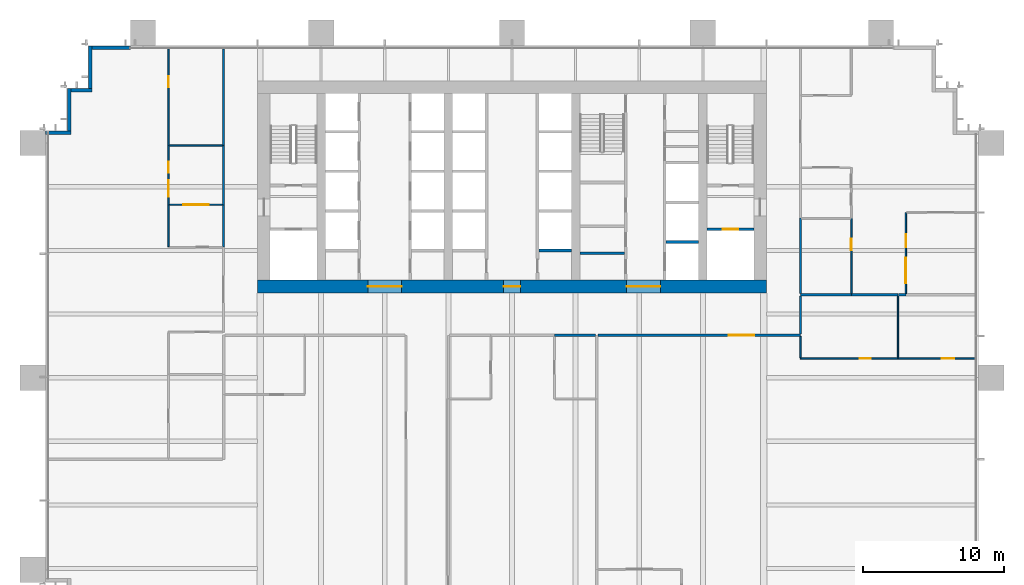
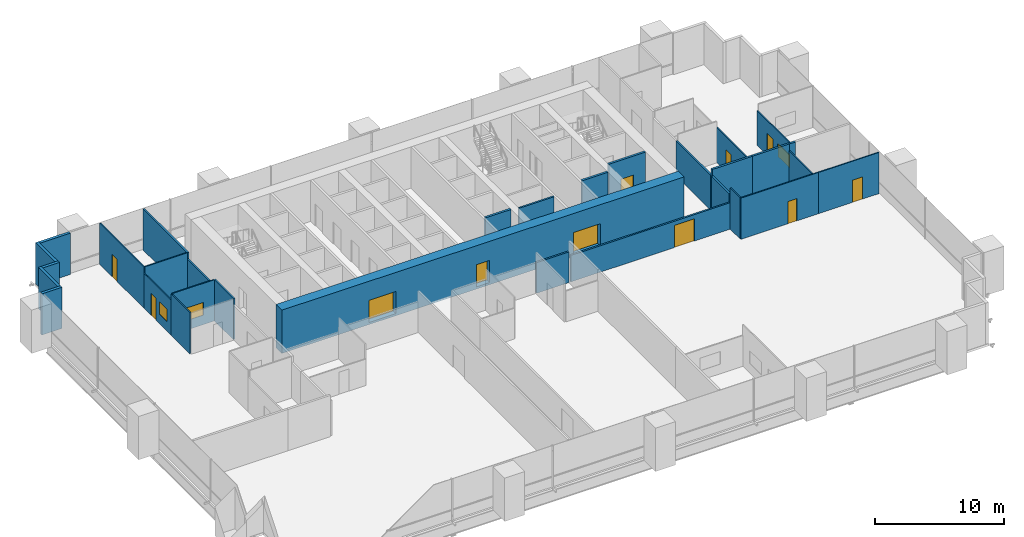
# One storey, part 12 of 17: 31 walls, 11 doors, 3 windows, 14 openings.
"""IFC4 building model written with IfcOpenShell, lengths in metres."""

from ifc_helpers import new_model, si_unit, direction, frame, frame_2d, origin, place, context, subcontext, project, spatial, rectangle, extrude, material, layer, layer_set, type_object, element, fill, save


model = new_model("IFC4")

# Units and contexts
model_context = context("Model", 3, precision=1e-05, world=origin(), true_north=direction((0.0, 1.0)))
body_context = subcontext(model_context, "Body", "Model", "MODEL_VIEW")
ifc_project = project(units=[si_unit("LENGTHUNIT", "METRE"), si_unit("AREAUNIT", "SQUARE_METRE"), si_unit("VOLUMEUNIT", "CUBIC_METRE"), si_unit("PLANEANGLEUNIT", "RADIAN"), si_unit("MASSUNIT", "GRAM", prefix="KILO")], contexts=[model_context])

# Site, building, storey
site_placement = place(None, origin())
site = spatial("IfcSite", under=ifc_project, at=site_placement, CompositionType="ELEMENT")
building_placement = place(site_placement, origin())
building = spatial("IfcBuilding", under=site, at=building_placement, Name="Rattan Terrace Tower", CompositionType="ELEMENT")
storey_placement = place(building_placement, frame((0.0, 0.0, 48.800048828125)))
storey = spatial("IfcBuildingStorey", under=building, at=storey_placement, Name="L10", CompositionType="ELEMENT", Elevation=48.800048828125)

# Wall
ifc_material_1 = material(Name="Gypsum board partition")
ifc_layer_1 = layer(ifc_material_1, 0.14990234375)
ifc_layer_set_1 = layer_set([ifc_layer_1], Name="Core partition 150")
wall_type_1 = type_object("IfcWallType", Name="Core partition 150", PredefinedType="PARTITIONING", material=ifc_layer_set_1)
wall_1_placement = place(storey_placement, frame((4.800048828125, -4.696044921875, 0.0), z_axis=(0.0, 0.0, 1.0), x_axis=(1.0, 0.0, 0.0)))
element("IfcWall", 1, at=wall_1_placement, inside=storey, type_object=wall_type_1, Name="Toilet wall", PredefinedType="PARTITIONING", context=body_context, shape_type="SweptSolid", body=[
    extrude(rectangle(XDim=3.14990234375, YDim=0.14990234375, at=frame_2d((1.574951171875, 0.0))), origin(), (0.0, 0.0, 1.0), 3.89990234375),
])

# Wall, opening, door
ifc_material_2 = material(Name="Gypsum board partition")
ifc_layer_2 = layer(ifc_material_2, 0.199951171875)
ifc_layer_set_2 = layer_set([ifc_layer_2], Name="Core partition 200")
wall_type_2 = type_object("IfcWallType", Name="Core partition 200", PredefinedType="PARTITIONING", material=ifc_layer_set_2)
wall_2_placement = place(storey_placement, frame((13.800048828125, -3.0, 0.0), z_axis=(0.0, 0.0, 1.0), x_axis=(1.0, 0.0, 0.0)))
wall_2 = element("IfcWall", 2, at=wall_2_placement, inside=storey, type_object=wall_type_2, Name="Fire-fighting lobby wall", PredefinedType="PARTITIONING", context=body_context, shape_type="SweptSolid", body=[
    extrude(rectangle(XDim=3.300048828125, YDim=0.199951171875, at=frame_2d((1.64990234375, 0.0))), origin(), (0.0, 0.0, 1.0), 3.89990234375),
])
opening_1_placement = place(wall_2_placement, frame((1.10009765625, 0.0, 0.0)))
opening_1 = element("IfcOpeningElement", 3, at=opening_1_placement, cuts=wall_2, Name="Opening L10-LD-FF2", PredefinedType="OPENING", context=body_context, shape_type="SweptSolid", body=[
    extrude(rectangle(XDim=1.10009765625, YDim=2.10009765625, at=frame_2d((0.550048828125, 1.050048828125))), frame((0.0, 0.110595703125, 0.0), z_axis=(0.0, -1.0, 0.0), x_axis=(1.0, 0.0, 0.0)), (0.0, 0.0, 1.0), 0.220947265625),
])
ifc_material_3 = material(Name="Brushed stainless landing door panel")
door_type_1 = type_object("IfcDoorType", Name="Core lift landing door 1100", OperationType="DOUBLE_DOOR_SLIDING", PredefinedType="DOOR", material=ifc_material_3)
door_1_placement = place(opening_1_placement, origin())
door_1 = element("IfcDoor", 4, at=door_1_placement, inside=storey, type_object=door_type_1, Name="Door L10-LD-FF2", OperationType="DOUBLE_DOOR_SLIDING", OverallHeight=2.10009765625, OverallWidth=1.10009765625, PredefinedType="DOOR", context=body_context, shape_type="SweptSolid", body=[
    extrude(rectangle(XDim=1.10009765625, YDim=2.10009765625, at=frame_2d((0.550048828125, 1.050048828125))), frame((0.0, 0.02490234375, 0.0), z_axis=(0.0, -1.0, 0.0), x_axis=(1.0, 0.0, 0.0)), (0.0, 0.0, 1.0), 0.050048828125),
])
fill(opening_1, door_1)

# Wall, openings, doors
ifc_material_4 = material(Name="Concrete C70/85", Category="concrete")
ifc_layer_3 = layer(ifc_material_4, 0.89990234375)
ifc_layer_set_3 = layer_set([ifc_layer_3], Name="Core ring wall 900 C70/85")
wall_type_3 = type_object("IfcWallType", Name="Core ring wall 900 C70/85", PredefinedType="SHEAR", material=ifc_layer_set_3)
wall_3_placement = place(storey_placement, frame((-18.0, -7.050048828125, -0.199951171875), z_axis=(0.0, 0.0, 1.0), x_axis=(1.0, 0.0, 0.0)))
wall_3 = element("IfcWall", 5, at=wall_3_placement, inside=storey, type_object=wall_type_3, Name="Rear core wall south", PredefinedType="SHEAR", context=body_context, shape_type="SweptSolid", body=[
    extrude(rectangle(XDim=36.0, YDim=0.89990234375, at=frame_2d((18.0, 0.0))), origin(), (0.0, 0.0, 1.0), 4.099853515625),
])
opening_2_placement = place(wall_3_placement, frame((7.800048828125, 0.0, 0.199951171875)))
opening_2 = element("IfcOpeningElement", 6, at=opening_2_placement, cuts=wall_3, Name="Opening L10-D007", PredefinedType="OPENING", context=body_context, shape_type="SweptSolid", body=[
    extrude(rectangle(XDim=2.39990234375, YDim=2.10009765625, at=frame_2d((1.199951171875, 1.050048828125))), frame((0.0, 0.46044921875, 0.0), z_axis=(0.0, -1.0, 0.0), x_axis=(1.0, 0.0, 0.0)), (0.0, 0.0, 1.0), 0.9208984375),
])
opening_3_placement = place(wall_3_placement, frame((17.39990234375, 0.0, 0.199951171875)))
opening_3 = element("IfcOpeningElement", 7, at=opening_3_placement, cuts=wall_3, Name="Opening L10-D010", PredefinedType="OPENING", context=body_context, shape_type="SweptSolid", body=[
    extrude(rectangle(XDim=1.199951171875, YDim=2.10009765625, at=frame_2d((0.60009765625, 1.050048828125))), frame((0.0, 0.46044921875, 0.0), z_axis=(0.0, -1.0, 0.0), x_axis=(1.0, 0.0, 0.0)), (0.0, 0.0, 1.0), 0.9208984375),
])
opening_4_placement = place(wall_3_placement, frame((26.10009765625, 0.0, 0.199951171875)))
opening_4 = element("IfcOpeningElement", 8, at=opening_4_placement, cuts=wall_3, Name="Opening L10-D015", PredefinedType="OPENING", context=body_context, shape_type="SweptSolid", body=[
    extrude(rectangle(XDim=2.39990234375, YDim=2.10009765625, at=frame_2d((1.199951171875, 1.050048828125))), frame((0.0, 0.46044921875, 0.0), z_axis=(0.0, -1.0, 0.0), x_axis=(1.0, 0.0, 0.0)), (0.0, 0.0, 1.0), 0.9208984375),
])
ifc_material_5 = material(Name="Hollow-metal fire door leaf")
door_type_2 = type_object("IfcDoorType", Name="Core lift lobby door 2400", OperationType="NOTDEFINED", PredefinedType="DOOR", material=ifc_material_5)
door_2_placement = place(opening_2_placement, origin())
door_2 = element("IfcDoor", 9, at=door_2_placement, inside=storey, type_object=door_type_2, Name="Door L10-D007", OperationType="DOUBLE_DOOR_DOUBLE_SWING", OverallHeight=2.10009765625, OverallWidth=2.39990234375, PredefinedType="DOOR", context=body_context, shape_type="SweptSolid", body=[
    extrude(rectangle(XDim=2.39990234375, YDim=2.10009765625, at=frame_2d((1.199951171875, 1.050048828125))), frame((0.0, 0.02490234375, 0.0), z_axis=(0.0, -1.0, 0.0), x_axis=(1.0, 0.0, 0.0)), (0.0, 0.0, 1.0), 0.050048828125),
])
fill(opening_2, door_2)
door_3_placement = place(opening_4_placement, origin())
door_3 = element("IfcDoor", 10, at=door_3_placement, inside=storey, type_object=door_type_2, Name="Door L10-D015", OperationType="DOUBLE_DOOR_DOUBLE_SWING", OverallHeight=2.10009765625, OverallWidth=2.39990234375, PredefinedType="DOOR", context=body_context, shape_type="SweptSolid", body=[
    extrude(rectangle(XDim=2.39990234375, YDim=2.10009765625, at=frame_2d((1.199951171875, 1.050048828125))), frame((0.0, 0.02490234375, 0.0), z_axis=(0.0, -1.0, 0.0), x_axis=(1.0, 0.0, 0.0)), (0.0, 0.0, 1.0), 0.050048828125),
])
fill(opening_4, door_3)
ifc_material_6 = material(Name="Hollow-metal fire door leaf")
door_type_3 = type_object("IfcDoorType", Name="Core riser door 1200", OperationType="NOTDEFINED", PredefinedType="DOOR", material=ifc_material_6)
door_4_placement = place(opening_3_placement, origin())
door_4 = element("IfcDoor", 11, at=door_4_placement, inside=storey, type_object=door_type_3, Name="Door L10-D010", OperationType="SINGLE_SWING_LEFT", OverallHeight=2.10009765625, OverallWidth=1.199951171875, PredefinedType="DOOR", context=body_context, shape_type="SweptSolid", body=[
    extrude(rectangle(XDim=1.199951171875, YDim=2.10009765625, at=frame_2d((0.60009765625, 1.050048828125))), frame((0.0, 0.02490234375, 0.0), z_axis=(0.0, -1.0, 0.0), x_axis=(1.0, 0.0, 0.0)), (0.0, 0.0, 1.0), 0.050048828125),
])
fill(opening_3, door_4)

# Walls
ifc_material_7 = material(Name="Insulated aluminium-clad stud wall", Category="aluminium")
ifc_layer_4 = layer(ifc_material_7, 0.25)
ifc_layer_set_4 = layer_set([ifc_layer_4], Name="Facade Riser Wall 250")
wall_type_4 = type_object("IfcWallType", Name="Facade Riser Wall 250", PredefinedType="SOLIDWALL", material=ifc_layer_set_4)
wall_4_placement = place(storey_placement, frame((-27.0, 9.830078125, 0.0), z_axis=(0.0, 0.0, 1.0), x_axis=(-1.0, 0.0, 0.0)))
element("IfcWall", 12, at=wall_4_placement, inside=storey, type_object=wall_type_4, Name="Riser wall L10-11", PredefinedType="SOLIDWALL", context=body_context, shape_type="SweptSolid", body=[
    extrude(rectangle(XDim=2.705078125, YDim=0.25, at=frame_2d((1.3525390625, 0.0))), origin(), (0.0, 0.0, 1.0), 3.89990234375),
])
wall_5_placement = place(storey_placement, frame((-29.830078125, 9.955078125, 0.0), z_axis=(0.0, 0.0, 1.0), x_axis=(0.0, -1.0, 0.0)))
element("IfcWall", 13, at=wall_5_placement, inside=storey, type_object=wall_type_4, Name="Riser wall L10-12", PredefinedType="SOLIDWALL", context=body_context, shape_type="SweptSolid", body=[
    extrude(rectangle(XDim=3.0, YDim=0.25, at=frame_2d((1.5, 0.0))), origin(), (0.0, 0.0, 1.0), 3.89990234375),
])
wall_6_placement = place(storey_placement, frame((-29.705078125, 6.830078125, 0.0), z_axis=(0.0, 0.0, 1.0), x_axis=(-1.0, 0.0, 0.0)))
element("IfcWall", 14, at=wall_6_placement, inside=storey, type_object=wall_type_4, Name="Riser wall L10-13", PredefinedType="SOLIDWALL", context=body_context, shape_type="SweptSolid", body=[
    extrude(rectangle(XDim=1.5, YDim=0.25, at=frame_2d((0.75, 0.0))), origin(), (0.0, 0.0, 1.0), 3.89990234375),
])
wall_7_placement = place(storey_placement, frame((-31.330078125, 6.955078125, 0.0), z_axis=(0.0, 0.0, 1.0), x_axis=(0.0, -1.0, 0.0)))
element("IfcWall", 15, at=wall_7_placement, inside=storey, type_object=wall_type_4, Name="Riser wall L10-14", PredefinedType="SOLIDWALL", context=body_context, shape_type="SweptSolid", body=[
    extrude(rectangle(XDim=3.0, YDim=0.25, at=frame_2d((1.5, 0.0))), origin(), (0.0, 0.0, 1.0), 3.89990234375),
])
wall_8_placement = place(storey_placement, frame((-31.205078125, 3.830078125, 0.0), z_axis=(0.0, 0.0, 1.0), x_axis=(-1.0, 0.0, 0.0)))
element("IfcWall", 16, at=wall_8_placement, inside=storey, type_object=wall_type_4, Name="Riser wall L10-15", PredefinedType="SOLIDWALL", context=body_context, shape_type="SweptSolid", body=[
    extrude(rectangle(XDim=1.7998046875, YDim=0.25, at=frame_2d((0.89990234375, 0.0))), origin(), (0.0, 0.0, 1.0), 3.89990234375),
])
ifc_material_8 = material(Name="Double steel stud acoustic partition, gypsum board, mineral wool, fire rated", Category="steel")
ifc_layer_5 = layer(ifc_material_8, 0.179931640625)
ifc_layer_set_5 = layer_set([ifc_layer_5], Name="Floors Acoustic Party Wall 180")
wall_type_5 = type_object("IfcWallType", Name="Floors Acoustic Party Wall 180", PredefinedType="PARTITIONING", material=ifc_layer_set_5)
wall_9_placement = place(storey_placement, frame((27.320068359375, -7.635986328125, 0.0), z_axis=(0.0, 0.0, 1.0), x_axis=(-1.0, 0.0, 0.0)))
element("IfcWall", 17, at=wall_9_placement, inside=storey, type_object=wall_type_5, Name="pt-L10-041", PredefinedType="PARTITIONING", context=body_context, shape_type="SweptSolid", body=[
    extrude(rectangle(XDim=3.320068359375, YDim=0.179931640625, at=frame_2d((1.66015625, 0.0))), origin(), (0.0, 0.0, 1.0), 3.89990234375),
])
wall_10_placement = place(storey_placement, frame((27.860107421875, -7.635986328125, 0.0), z_axis=(0.0, 0.0, 1.0), x_axis=(-1.0, 0.0, 0.0)))
element("IfcWall", 18, at=wall_10_placement, inside=storey, type_object=wall_type_5, Name="pt-L10-042", PredefinedType="PARTITIONING", context=body_context, shape_type="SweptSolid", body=[
    extrude(rectangle(XDim=0.5400390625, YDim=0.179931640625, at=frame_2d((0.27001953125, 0.0))), origin(), (0.0, 0.0, 1.0), 3.89990234375),
])
wall_11_placement = place(storey_placement, frame((24.0, -7.635986328125, 0.0), z_axis=(0.0, 0.0, 1.0), x_axis=(-1.0, 0.0, 0.0)))
element("IfcWall", 19, at=wall_11_placement, inside=storey, type_object=wall_type_5, Name="pt-L10-045", PredefinedType="PARTITIONING", context=body_context, shape_type="SweptSolid", body=[
    extrude(rectangle(XDim=3.60009765625, YDim=0.179931640625, at=frame_2d((1.800048828125, 0.0))), origin(), (0.0, 0.0, 1.0), 3.89990234375),
])
ifc_material_9 = material(Name="Gypsum board partition on steel studs", Category="steel")
ifc_layer_6 = layer(ifc_material_9, 0.10009765625)
ifc_layer_set_6 = layer_set([ifc_layer_6], Name="Floors Partition 100")
wall_type_6 = type_object("IfcWallType", Name="Floors Partition 100", PredefinedType="PARTITIONING", material=ifc_layer_set_6)
wall_12_placement = place(storey_placement, frame((-24.300048828125, -1.29296875, 0.0), z_axis=(0.0, 0.0, 1.0), x_axis=(0.0, -1.0, 0.0)))
element("IfcWall", 20, at=wall_12_placement, inside=storey, type_object=wall_type_6, Name="pt-L10-022", PredefinedType="PARTITIONING", context=body_context, shape_type="SweptSolid", body=[
    extrude(rectangle(XDim=2.929931640625, YDim=0.10009765625, at=frame_2d((1.46484375, 0.0))), origin(), (0.0, 0.0, 1.0), 3.89990234375),
])

# Wall, openings, door, window
wall_13_placement = place(storey_placement, frame((-24.300048828125, 2.906982421875, 0.0), z_axis=(0.0, 0.0, 1.0), x_axis=(0.0, -1.0, 0.0)))
wall_13 = element("IfcWall", 21, at=wall_13_placement, inside=storey, type_object=wall_type_6, Name="pt-L10-024", PredefinedType="PARTITIONING", context=body_context, shape_type="SweptSolid", body=[
    extrude(rectangle(XDim=4.199951171875, YDim=0.10009765625, at=frame_2d((2.10009765625, 0.0))), origin(), (0.0, 0.0, 1.0), 3.300048828125),
])
opening_5_placement = place(wall_13_placement, frame((1.1201171875, 0.0, 0.0)))
opening_5 = element("IfcOpeningElement", 22, at=opening_5_placement, cuts=wall_13, Name="Opening L10-D104", PredefinedType="OPENING", context=body_context, shape_type="SweptSolid", body=[
    extrude(rectangle(XDim=0.800048828125, YDim=2.10009765625, at=frame_2d((0.39990234375, 1.050048828125))), frame((0.0, 0.060546875, 0.0), z_axis=(0.0, -1.0, 0.0), x_axis=(1.0, 0.0, 0.0)), (0.0, 0.0, 1.0), 0.12109375),
])
opening_6_placement = place(wall_13_placement, frame((2.425048828125, 0.0, 0.89990234375)))
opening_6 = element("IfcOpeningElement", 23, at=opening_6_placement, cuts=wall_13, Name="Opening L10-W100", PredefinedType="OPENING", context=body_context, shape_type="SweptSolid", body=[
    extrude(rectangle(XDim=1.199951171875, YDim=1.199951171875, at=frame_2d((0.60009765625, 0.60009765625))), frame((0.0, 0.060546875, 0.0), z_axis=(0.0, -1.0, 0.0), x_axis=(1.0, 0.0, 0.0)), (0.0, 0.0, 1.0), 0.12109375),
])
ifc_material_10 = material(Name="Solid core timber door, painted", Category="wood")
door_type_4 = type_object("IfcDoorType", Name="Floors Store Door 800x2100", OperationType="NOTDEFINED", PredefinedType="DOOR", material=ifc_material_10)
door_5_placement = place(opening_5_placement, origin())
door_5 = element("IfcDoor", 24, at=door_5_placement, inside=storey, type_object=door_type_4, Name="d-L10-104", OperationType="SINGLE_SWING_LEFT", OverallHeight=2.10009765625, OverallWidth=0.800048828125, PredefinedType="DOOR", context=body_context, shape_type="SweptSolid", body=[
    extrude(rectangle(XDim=0.800048828125, YDim=2.10009765625, at=frame_2d((0.39990234375, 1.050048828125))), frame((0.0, 0.02490234375, 0.0), z_axis=(0.0, -1.0, 0.0), x_axis=(1.0, 0.0, 0.0)), (0.0, 0.0, 1.0), 0.050048828125),
])
fill(opening_5, door_5)
ifc_material_11 = material(Name="Glass, clear, fixed in aluminium frame", Category="aluminium")
window_type_1 = type_object("IfcWindowType", Name="Interior Vision Window 1200x1200", PartitioningType="SINGLE_PANEL", PredefinedType="WINDOW", material=ifc_material_11)
window_1_placement = place(opening_6_placement, origin())
window_1 = element("IfcWindow", 25, at=window_1_placement, inside=storey, type_object=window_type_1, Name="w-L10-100", OverallHeight=1.199951171875, OverallWidth=1.199951171875, PartitioningType="SINGLE_PANEL", PredefinedType="WINDOW", context=body_context, shape_type="SweptSolid", body=[
    extrude(rectangle(XDim=1.199951171875, YDim=1.199951171875, at=frame_2d((0.60009765625, 0.60009765625))), frame((0.0, 0.030029296875, 0.0), z_axis=(0.0, -1.0, 0.0), x_axis=(1.0, 0.0, 0.0)), (0.0, 0.0, 1.0), 0.06005859375),
])
fill(opening_6, window_1)

# Wall, opening, door
wall_14_placement = place(storey_placement, frame((-24.300048828125, 9.739990234375, 0.0), z_axis=(0.0, 0.0, 1.0), x_axis=(0.0, -1.0, 0.0)))
wall_14 = element("IfcWall", 26, at=wall_14_placement, inside=storey, type_object=wall_type_6, Name="pt-L10-025", PredefinedType="PARTITIONING", context=body_context, shape_type="SweptSolid", body=[
    extrude(rectangle(XDim=6.8330078125, YDim=0.10009765625, at=frame_2d((3.41650390625, 0.0))), origin(), (0.0, 0.0, 1.0), 3.89990234375),
])
opening_7_placement = place(wall_14_placement, frame((1.909912109375, 0.0, 0.0)))
opening_7 = element("IfcOpeningElement", 27, at=opening_7_placement, cuts=wall_14, Name="Opening L10-D105", PredefinedType="OPENING", context=body_context, shape_type="SweptSolid", body=[
    extrude(rectangle(XDim=0.800048828125, YDim=2.10009765625, at=frame_2d((0.39990234375, 1.050048828125))), frame((0.0, 0.060546875, 0.0), z_axis=(0.0, -1.0, 0.0), x_axis=(1.0, 0.0, 0.0)), (0.0, 0.0, 1.0), 0.12109375),
])
door_6_placement = place(opening_7_placement, origin())
door_6 = element("IfcDoor", 28, at=door_6_placement, inside=storey, type_object=door_type_4, Name="d-L10-105", OperationType="SINGLE_SWING_LEFT", OverallHeight=2.10009765625, OverallWidth=0.800048828125, PredefinedType="DOOR", context=body_context, shape_type="SweptSolid", body=[
    extrude(rectangle(XDim=0.800048828125, YDim=2.10009765625, at=frame_2d((0.39990234375, 1.050048828125))), frame((0.0, 0.02490234375, 0.0), z_axis=(0.0, -1.0, 0.0), x_axis=(1.0, 0.0, 0.0)), (0.0, 0.0, 1.0), 0.050048828125),
])
fill(opening_7, door_6)

# Wall, opening, window
wall_15_placement = place(storey_placement, frame((-24.25, -1.27294921875, 0.0), z_axis=(0.0, 0.0, 1.0), x_axis=(1.0, 0.0, 0.0)))
wall_15 = element("IfcWall", 29, at=wall_15_placement, inside=storey, type_object=wall_type_6, Name="pt-L10-032", PredefinedType="PARTITIONING", context=body_context, shape_type="SweptSolid", body=[
    extrude(rectangle(XDim=3.77490234375, YDim=0.10009765625, at=frame_2d((1.887451171875, 0.0))), origin(), (0.0, 0.0, 1.0), 3.89990234375),
])
opening_8_placement = place(wall_15_placement, frame((0.987060546875, 0.0, 0.89990234375)))
opening_8 = element("IfcOpeningElement", 30, at=opening_8_placement, cuts=wall_15, Name="Opening L10-W101", PredefinedType="OPENING", context=body_context, shape_type="SweptSolid", body=[
    extrude(rectangle(XDim=1.800048828125, YDim=1.199951171875, at=frame_2d((0.89990234375, 0.60009765625))), frame((0.0, 0.060546875, 0.0), z_axis=(0.0, -1.0, 0.0), x_axis=(1.0, 0.0, 0.0)), (0.0, 0.0, 1.0), 0.12109375),
])
ifc_material_12 = material(Name="Glass, clear, fixed in aluminium frame", Category="aluminium")
window_type_2 = type_object("IfcWindowType", Name="Interior Vision Window 1800x1200", PartitioningType="SINGLE_PANEL", PredefinedType="WINDOW", material=ifc_material_12)
window_2_placement = place(opening_8_placement, origin())
window_2 = element("IfcWindow", 31, at=window_2_placement, inside=storey, type_object=window_type_2, Name="w-L10-101", OverallHeight=1.199951171875, OverallWidth=1.800048828125, PartitioningType="SINGLE_PANEL", PredefinedType="WINDOW", context=body_context, shape_type="SweptSolid", body=[
    extrude(rectangle(XDim=1.800048828125, YDim=1.199951171875, at=frame_2d((0.89990234375, 0.60009765625))), frame((0.0, 0.030029296875, 0.0), z_axis=(0.0, -1.0, 0.0), x_axis=(1.0, 0.0, 0.0)), (0.0, 0.0, 1.0), 0.06005859375),
])
fill(opening_8, window_2)

# Wall
wall_16_placement = place(storey_placement, frame((-24.25, 2.927001953125, 0.0), z_axis=(0.0, 0.0, 1.0), x_axis=(1.0, 0.0, 0.0)))
element("IfcWall", 32, at=wall_16_placement, inside=storey, type_object=wall_type_6, Name="pt-L10-033", PredefinedType="PARTITIONING", context=body_context, shape_type="SweptSolid", body=[
    extrude(rectangle(XDim=3.77490234375, YDim=0.10009765625, at=frame_2d((1.887451171875, 0.0))), origin(), (0.0, 0.0, 1.0), 3.89990234375),
])

# Wall, openings, door, window
wall_17_placement = place(storey_placement, frame((27.860107421875, -1.818115234375, 0.0), z_axis=(0.0, 0.0, 1.0), x_axis=(0.0, -1.0, 0.0)))
wall_17 = element("IfcWall", 33, at=wall_17_placement, inside=storey, type_object=wall_type_6, Name="pt-L10-034", PredefinedType="PARTITIONING", context=body_context, shape_type="SweptSolid", body=[
    extrude(rectangle(XDim=5.727783203125, YDim=0.10009765625, at=frame_2d((2.86376953125, 0.0))), origin(), (0.0, 0.0, 1.0), 3.300048828125),
])
opening_9_placement = place(wall_17_placement, frame((1.548095703125, 0.0, 0.0)))
opening_9 = element("IfcOpeningElement", 34, at=opening_9_placement, cuts=wall_17, Name="Opening L10-D107", PredefinedType="OPENING", context=body_context, shape_type="SweptSolid", body=[
    extrude(rectangle(XDim=0.89990234375, YDim=2.10009765625, at=frame_2d((0.449951171875, 1.050048828125))), frame((0.0, 0.060546875, 0.0), z_axis=(0.0, -1.0, 0.0), x_axis=(1.0, 0.0, 0.0)), (0.0, 0.0, 1.0), 0.12109375),
])
opening_10_placement = place(wall_17_placement, frame((3.18798828125, 0.0, 0.89990234375)))
opening_10 = element("IfcOpeningElement", 35, at=opening_10_placement, cuts=wall_17, Name="Opening L10-W102", PredefinedType="OPENING", context=body_context, shape_type="SweptSolid", body=[
    extrude(rectangle(XDim=1.800048828125, YDim=1.199951171875, at=frame_2d((0.89990234375, 0.60009765625))), frame((0.0, 0.060546875, 0.0), z_axis=(0.0, -1.0, 0.0), x_axis=(1.0, 0.0, 0.0)), (0.0, 0.0, 1.0), 0.12109375),
])
ifc_material_13 = material(Name="Solid core timber door, painted", Category="wood")
door_type_5 = type_object("IfcDoorType", Name="Floors Door 900x2100", OperationType="NOTDEFINED", PredefinedType="DOOR", material=ifc_material_13)
door_7_placement = place(opening_9_placement, origin())
door_7 = element("IfcDoor", 36, at=door_7_placement, inside=storey, type_object=door_type_5, Name="d-L10-107", OperationType="SINGLE_SWING_LEFT", OverallHeight=2.10009765625, OverallWidth=0.89990234375, PredefinedType="DOOR", context=body_context, shape_type="SweptSolid", body=[
    extrude(rectangle(XDim=0.89990234375, YDim=2.10009765625, at=frame_2d((0.449951171875, 1.050048828125))), frame((0.0, 0.02490234375, 0.0), z_axis=(0.0, -1.0, 0.0), x_axis=(1.0, 0.0, 0.0)), (0.0, 0.0, 1.0), 0.050048828125),
])
fill(opening_9, door_7)
window_3_placement = place(opening_10_placement, origin())
window_3 = element("IfcWindow", 37, at=window_3_placement, inside=storey, type_object=window_type_2, Name="w-L10-102", OverallHeight=1.199951171875, OverallWidth=1.800048828125, PartitioningType="SINGLE_PANEL", PredefinedType="WINDOW", context=body_context, shape_type="SweptSolid", body=[
    extrude(rectangle(XDim=1.800048828125, YDim=1.199951171875, at=frame_2d((0.89990234375, 0.60009765625))), frame((0.0, 0.030029296875, 0.0), z_axis=(0.0, -1.0, 0.0), x_axis=(1.0, 0.0, 0.0)), (0.0, 0.0, 1.0), 0.06005859375),
])
fill(opening_10, window_3)

# Wall, opening, door
wall_18_placement = place(storey_placement, frame((24.0, -7.5458984375, 0.0), z_axis=(0.0, 0.0, 1.0), x_axis=(0.0, 1.0, 0.0)))
wall_18 = element("IfcWall", 38, at=wall_18_placement, inside=storey, type_object=wall_type_6, Name="pt-L10-036", PredefinedType="PARTITIONING", context=body_context, shape_type="SweptSolid", body=[
    extrude(rectangle(XDim=5.329833984375, YDim=0.10009765625, at=frame_2d((2.6650390625, 0.0))), origin(), (0.0, 0.0, 1.0), 3.300048828125),
])
opening_11_placement = place(wall_18_placement, frame((3.071044921875, 0.0, 0.0)))
opening_11 = element("IfcOpeningElement", 39, at=opening_11_placement, cuts=wall_18, Name="Opening L10-D108", PredefinedType="OPENING", context=body_context, shape_type="SweptSolid", body=[
    extrude(rectangle(XDim=0.800048828125, YDim=2.10009765625, at=frame_2d((0.39990234375, 1.050048828125))), frame((0.0, 0.060546875, 0.0), z_axis=(0.0, -1.0, 0.0), x_axis=(1.0, 0.0, 0.0)), (0.0, 0.0, 1.0), 0.12109375),
])
door_8_placement = place(opening_11_placement, origin())
door_8 = element("IfcDoor", 40, at=door_8_placement, inside=storey, type_object=door_type_4, Name="d-L10-108", OperationType="SINGLE_SWING_RIGHT", OverallHeight=2.10009765625, OverallWidth=0.800048828125, PredefinedType="DOOR", context=body_context, shape_type="SweptSolid", body=[
    extrude(rectangle(XDim=0.800048828125, YDim=2.10009765625, at=frame_2d((0.39990234375, 1.050048828125))), frame((0.0, 0.02490234375, 0.0), z_axis=(0.0, -1.0, 0.0), x_axis=(1.0, 0.0, 0.0)), (0.0, 0.0, 1.0), 0.050048828125),
])
fill(opening_11, door_8)

wall_19_placement = place(storey_placement, frame((20.39990234375, -12.135986328125, 0.0), z_axis=(0.0, 0.0, 1.0), x_axis=(1.0, 0.0, 0.0)))
wall_19 = element("IfcWall", 41, at=wall_19_placement, inside=storey, type_object=wall_type_6, Name="pt-L10-057", PredefinedType="PARTITIONING", context=body_context, shape_type="SweptSolid", body=[
    extrude(rectangle(XDim=6.920166015625, YDim=0.10009765625, at=frame_2d((3.4599609375, 0.0))), origin(), (0.0, 0.0, 1.0), 3.89990234375),
])
opening_12_placement = place(wall_19_placement, frame((4.18408203125, 0.0, 0.0)))
opening_12 = element("IfcOpeningElement", 42, at=opening_12_placement, cuts=wall_19, Name="Opening L10-D118", PredefinedType="OPENING", context=body_context, shape_type="SweptSolid", body=[
    extrude(rectangle(XDim=0.800048828125, YDim=2.10009765625, at=frame_2d((0.39990234375, 1.050048828125))), frame((0.0, 0.060546875, 0.0), z_axis=(0.0, -1.0, 0.0), x_axis=(1.0, 0.0, 0.0)), (0.0, 0.0, 1.0), 0.12109375),
])
door_9_placement = place(opening_12_placement, origin())
door_9 = element("IfcDoor", 43, at=door_9_placement, inside=storey, type_object=door_type_4, Name="d-L10-118", OperationType="SINGLE_SWING_RIGHT", OverallHeight=2.10009765625, OverallWidth=0.800048828125, PredefinedType="DOOR", context=body_context, shape_type="SweptSolid", body=[
    extrude(rectangle(XDim=0.800048828125, YDim=2.10009765625, at=frame_2d((0.39990234375, 1.050048828125))), frame((0.0, 0.02490234375, 0.0), z_axis=(0.0, -1.0, 0.0), x_axis=(1.0, 0.0, 0.0)), (0.0, 0.0, 1.0), 0.050048828125),
])
fill(opening_12, door_9)

# Wall
wall_20_placement = place(storey_placement, frame((20.39990234375, -10.574951171875, 0.0), z_axis=(0.0, 0.0, 1.0), x_axis=(0.0, -1.0, 0.0)))
element("IfcWall", 44, at=wall_20_placement, inside=storey, type_object=wall_type_6, Name="pt-L10-058", PredefinedType="PARTITIONING", context=body_context, shape_type="SweptSolid", body=[
    extrude(rectangle(XDim=1.510986328125, YDim=0.10009765625, at=frame_2d((0.75537109375, 0.0))), origin(), (0.0, 0.0, 1.0), 3.89990234375),
])

# Wall, opening, door
wall_21_placement = place(storey_placement, frame((27.320068359375, -12.135986328125, 0.0), z_axis=(0.0, 0.0, 1.0), x_axis=(1.0, 0.0, 0.0)))
wall_21 = element("IfcWall", 45, at=wall_21_placement, inside=storey, type_object=wall_type_6, Name="pt-L10-059", PredefinedType="PARTITIONING", context=body_context, shape_type="SweptSolid", body=[
    extrude(rectangle(XDim=5.419921875, YDim=0.10009765625, at=frame_2d((2.7099609375, 0.0))), origin(), (0.0, 0.0, 1.0), 3.89990234375),
])
opening_13_placement = place(wall_21_placement, frame((3.06396484375, 0.0, 0.0)))
opening_13 = element("IfcOpeningElement", 46, at=opening_13_placement, cuts=wall_21, Name="Opening L10-D119", PredefinedType="OPENING", context=body_context, shape_type="SweptSolid", body=[
    extrude(rectangle(XDim=0.89990234375, YDim=2.10009765625, at=frame_2d((0.449951171875, 1.050048828125))), frame((0.0, 0.060546875, 0.0), z_axis=(0.0, -1.0, 0.0), x_axis=(1.0, 0.0, 0.0)), (0.0, 0.0, 1.0), 0.12109375),
])
door_10_placement = place(opening_13_placement, origin())
door_10 = element("IfcDoor", 47, at=door_10_placement, inside=storey, type_object=door_type_5, Name="d-L10-119", OperationType="SINGLE_SWING_RIGHT", OverallHeight=2.10009765625, OverallWidth=0.89990234375, PredefinedType="DOOR", context=body_context, shape_type="SweptSolid", body=[
    extrude(rectangle(XDim=0.89990234375, YDim=2.10009765625, at=frame_2d((0.449951171875, 1.050048828125))), frame((0.0, 0.02490234375, 0.0), z_axis=(0.0, -1.0, 0.0), x_axis=(1.0, 0.0, 0.0)), (0.0, 0.0, 1.0), 0.050048828125),
])
fill(opening_13, door_10)

# Walls
wall_22_placement = place(storey_placement, frame((27.300048828125, -7.72607421875, 0.0), z_axis=(0.0, 0.0, 1.0), x_axis=(0.0, -1.0, 0.0)))
element("IfcWall", 48, at=wall_22_placement, inside=storey, type_object=wall_type_6, Name="pt-L10-060", PredefinedType="PARTITIONING", context=body_context, shape_type="SweptSolid", body=[
    extrude(rectangle(XDim=4.35986328125, YDim=0.10009765625, at=frame_2d((2.179931640625, 0.0))), origin(), (0.0, 0.0, 1.0), 3.300048828125),
])
ifc_material_14 = material(Name="Gypsum board partition on steel studs, fire rated", Category="steel")
ifc_layer_7 = layer(ifc_material_14, 0.14990234375)
ifc_layer_set_7 = layer_set([ifc_layer_7], Name="Floors Tenancy Wall 150")
wall_type_7 = type_object("IfcWallType", Name="Floors Tenancy Wall 150", PredefinedType="PARTITIONING", material=ifc_layer_set_7)
wall_23_placement = place(storey_placement, frame((-20.39990234375, -4.2529296875, 0.0), z_axis=(0.0, 0.0, 1.0), x_axis=(0.0, 1.0, 0.0)))
element("IfcWall", 49, at=wall_23_placement, inside=storey, type_object=wall_type_7, Name="pt-L10-002", PredefinedType="PARTITIONING", context=body_context, shape_type="SweptSolid", body=[
    extrude(rectangle(XDim=2.9599609375, YDim=0.14990234375, at=frame_2d((1.47998046875, 0.0))), origin(), (0.0, 0.0, 1.0), 3.89990234375),
])
wall_24_placement = place(storey_placement, frame((-20.39990234375, -1.29296875, 0.0), z_axis=(0.0, 0.0, 1.0), x_axis=(0.0, 1.0, 0.0)))
element("IfcWall", 50, at=wall_24_placement, inside=storey, type_object=wall_type_7, Name="pt-L10-003", PredefinedType="PARTITIONING", context=body_context, shape_type="SweptSolid", body=[
    extrude(rectangle(XDim=4.199951171875, YDim=0.14990234375, at=frame_2d((2.10009765625, 0.0))), origin(), (0.0, 0.0, 1.0), 3.300048828125),
])
wall_25_placement = place(storey_placement, frame((-20.39990234375, 2.906982421875, 0.0), z_axis=(0.0, 0.0, 1.0), x_axis=(0.0, 1.0, 0.0)))
element("IfcWall", 51, at=wall_25_placement, inside=storey, type_object=wall_type_7, Name="pt-L10-004", PredefinedType="PARTITIONING", context=body_context, shape_type="SweptSolid", body=[
    extrude(rectangle(XDim=6.8330078125, YDim=0.14990234375, at=frame_2d((3.41650390625, 0.0))), origin(), (0.0, 0.0, 1.0), 3.89990234375),
])
wall_26_placement = place(storey_placement, frame((20.39990234375, -2.216064453125, 0.0), z_axis=(0.0, 0.0, 1.0), x_axis=(0.0, -1.0, 0.0)))
element("IfcWall", 52, at=wall_26_placement, inside=storey, type_object=wall_type_7, Name="pt-L10-006", PredefinedType="PARTITIONING", context=body_context, shape_type="SweptSolid", body=[
    extrude(rectangle(XDim=5.329833984375, YDim=0.14990234375, at=frame_2d((2.6650390625, 0.0))), origin(), (0.0, 0.0, 1.0), 3.300048828125),
])
wall_27_placement = place(storey_placement, frame((5.909912109375, -10.5, 0.0), z_axis=(0.0, 0.0, 1.0), x_axis=(-1.0, 0.0, 0.0)))
element("IfcWall", 53, at=wall_27_placement, inside=storey, type_object=wall_type_7, Name="pt-L10-016", PredefinedType="PARTITIONING", context=body_context, shape_type="SweptSolid", body=[
    extrude(rectangle(XDim=2.889892578125, YDim=0.14990234375, at=frame_2d((1.44482421875, 0.0))), origin(), (0.0, 0.0, 1.0), 2.89990234375),
])

# Wall, opening, door
wall_28_placement = place(storey_placement, frame((20.39990234375, -10.5, 0.0), z_axis=(0.0, 0.0, 1.0), x_axis=(-1.0, 0.0, 0.0)))
wall_28 = element("IfcWall", 54, at=wall_28_placement, inside=storey, type_object=wall_type_7, Name="pt-L10-017", PredefinedType="PARTITIONING", context=body_context, shape_type="SweptSolid", body=[
    extrude(rectangle(XDim=14.309814453125, YDim=0.14990234375, at=frame_2d((7.15478515625, 0.0))), origin(), (0.0, 0.0, 1.0), 2.5),
])
opening_14_placement = place(wall_28_placement, frame((3.251953125, 0.0, 0.0)))
opening_14 = element("IfcOpeningElement", 55, at=opening_14_placement, cuts=wall_28, Name="Opening L10-D116", PredefinedType="OPENING", context=body_context, shape_type="SweptSolid", body=[
    extrude(rectangle(XDim=1.800048828125, YDim=2.10009765625, at=frame_2d((0.89990234375, 1.050048828125))), frame((0.0, 0.08544921875, 0.0), z_axis=(0.0, -1.0, 0.0), x_axis=(1.0, 0.0, 0.0)), (0.0, 0.0, 1.0), 0.1708984375),
])
ifc_material_15 = material(Name="Steel fire door set", Category="steel")
door_type_6 = type_object("IfcDoorType", Name="Floors Fire Door Pair FD30S 1800x2100", OperationType="NOTDEFINED", PredefinedType="DOOR", material=ifc_material_15)
door_11_placement = place(opening_14_placement, origin())
door_11 = element("IfcDoor", 56, at=door_11_placement, inside=storey, type_object=door_type_6, Name="d-L10-116", OperationType="DOUBLE_DOOR_SINGLE_SWING", OverallHeight=2.10009765625, OverallWidth=1.800048828125, PredefinedType="DOOR", context=body_context, shape_type="SweptSolid", body=[
    extrude(rectangle(XDim=1.800048828125, YDim=2.10009765625, at=frame_2d((0.89990234375, 1.050048828125))), frame((0.0, 0.02490234375, 0.0), z_axis=(0.0, -1.0, 0.0), x_axis=(1.0, 0.0, 0.0)), (0.0, 0.0, 1.0), 0.050048828125),
])
fill(opening_14, door_11)

# Walls
wall_29_placement = place(storey_placement, frame((20.39990234375, -7.72607421875, 0.0), z_axis=(0.0, 0.0, 1.0), x_axis=(0.0, -1.0, 0.0)))
element("IfcWall", 57, at=wall_29_placement, inside=storey, type_object=wall_type_7, Name="pt-L10-018", PredefinedType="PARTITIONING", context=body_context, shape_type="SweptSolid", body=[
    extrude(rectangle(XDim=2.698974609375, YDim=0.14990234375, at=frame_2d((1.349609375, 0.0))), origin(), (0.0, 0.0, 1.0), 3.300048828125),
])
ifc_material_16 = material(Name="Gypsum shaft wall system")
ifc_layer_8 = layer(ifc_material_16, 0.199951171875)
ifc_layer_set_8 = layer_set([ifc_layer_8], Name="Lift shaft wall 200")
wall_type_8 = type_object("IfcWallType", Name="Lift shaft wall 200", PredefinedType="PARTITIONING", material=ifc_layer_set_8)
for number, where, z_axis, x_axis, name in (
    (58, (1.89990234375, -4.5, 0.0), (0.0, 0.0, 1.0), (1.0, 0.0, 0.0), "Lift shaft wall"),
    (59, (10.89990234375, -3.89990234375, 0.0), (0.0, 0.0, 1.0), (1.0, 0.0, 0.0), "Lift shaft wall"),
):
    element("IfcWall", number, at=place(storey_placement, frame(where, z_axis=z_axis, x_axis=x_axis)), inside=storey, type_object=wall_type_8, Name=name, PredefinedType="PARTITIONING", context=body_context, shape_type="SweptSolid", body=[
        extrude(rectangle(XDim=2.300048828125, YDim=0.199951171875, at=frame_2d((1.14990234375, 0.0))), origin(), (0.0, 0.0, 1.0), 3.89990234375),
    ])

save(model, "model.ifc")
